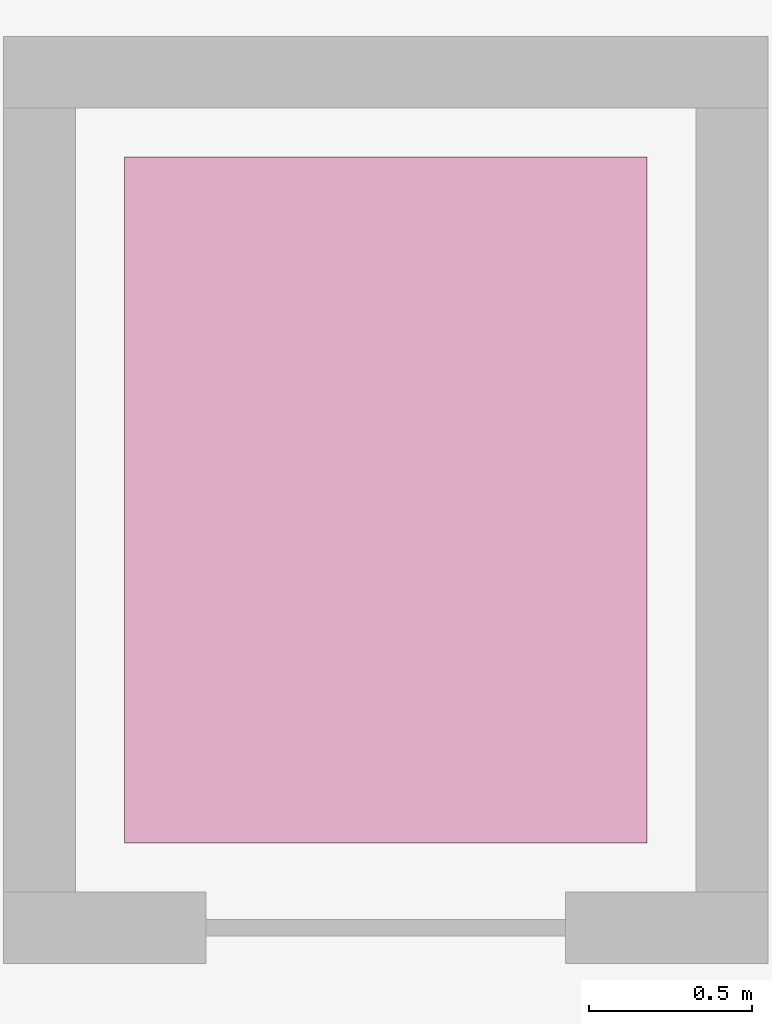
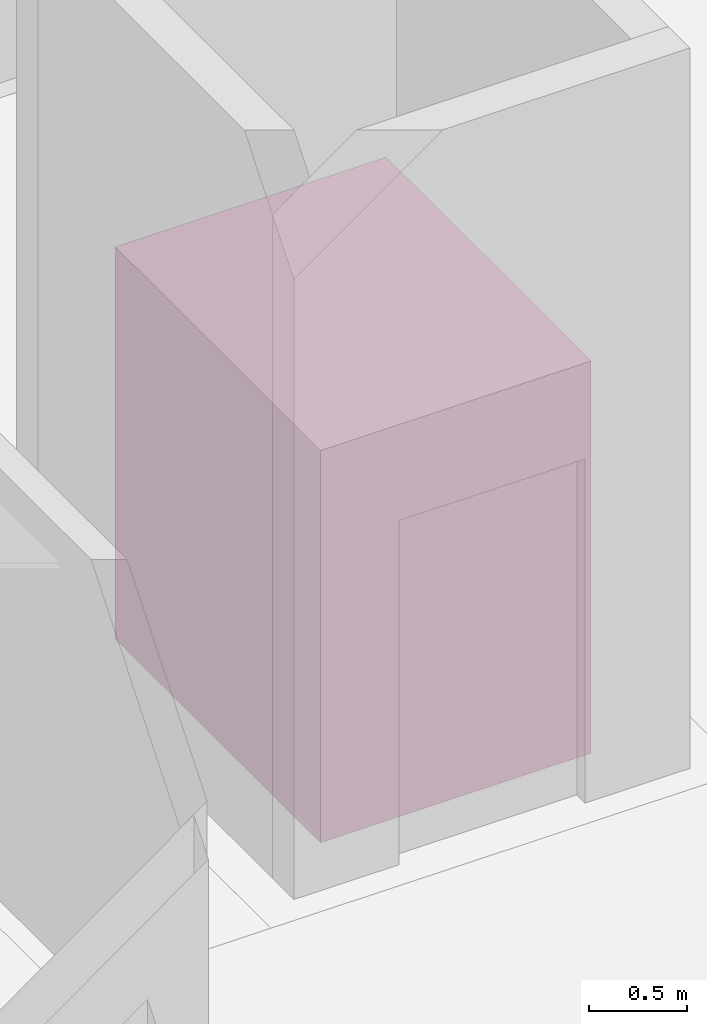
# One storey, part 63 of 63: 1 transport element.
"""IFC4 building model written with IfcOpenShell, lengths in metres."""

from ifc_helpers import new_model, si_unit, direction, frame, origin, origin_2d, place, context, subcontext, project, spatial, rectangle, extrude, material, type_object, element, save


model = new_model("IFC4")

# Units and contexts
model_context = context("Model", 3, precision=1e-05, world=origin(), true_north=direction((0.0, 1.0)))
body_context = subcontext(model_context, "Body", "Model", "MODEL_VIEW")
ifc_project = project(units=[si_unit("LENGTHUNIT", "METRE"), si_unit("AREAUNIT", "SQUARE_METRE"), si_unit("VOLUMEUNIT", "CUBIC_METRE"), si_unit("PLANEANGLEUNIT", "RADIAN"), si_unit("MASSUNIT", "GRAM", prefix="KILO")], contexts=[model_context])

# Site, building, storey
site_placement = place(None, origin())
site = spatial("IfcSite", under=ifc_project, at=site_placement, CompositionType="ELEMENT")
building_placement = place(site_placement, origin())
building = spatial("IfcBuilding", under=site, at=building_placement, Name="Serraforn Aerial Cableway Station", CompositionType="ELEMENT")
storey_placement = place(building_placement, origin())
storey = spatial("IfcBuildingStorey", under=building, at=storey_placement, Name="L00", CompositionType="ELEMENT", Elevation=0.0)

# Transport element
ifc_material = material(Name="Brushed bronze and stainless-steel lift cabin", Category="steel")
transport_element_type = type_object("IfcTransportElementType", Name="LFT-PASS-1600", PredefinedType="ELEVATOR", material=ifc_material)
transport_element_placement = place(storey_placement, frame((11.199951171875, 30.199951171875, 0.0), z_axis=(0.0, 0.0, 1.0), x_axis=(1.0, 0.0, 0.0)))
element("IfcTransportElement", 1, at=transport_element_placement, inside=storey, type_object=transport_element_type, Name="West Belvedere Passenger Lift 1", PredefinedType="ELEVATOR", context=body_context, shape_type="SweptSolid", body=[
    extrude(rectangle(XDim=1.60009765625, YDim=2.10009765625, at=origin_2d()), origin(), (0.0, 0.0, 1.0), 2.449951171875),
])

save(model, "model.ifc")
